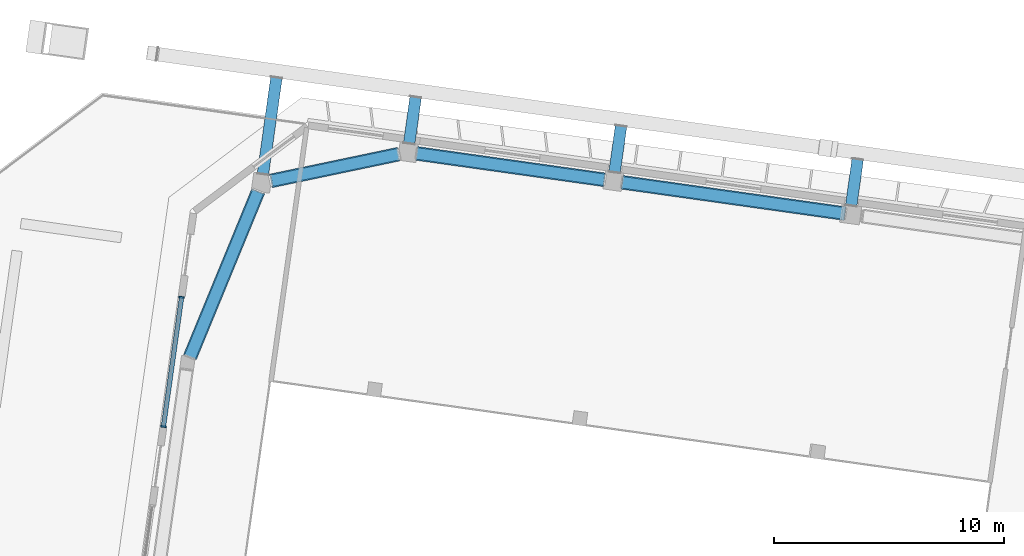
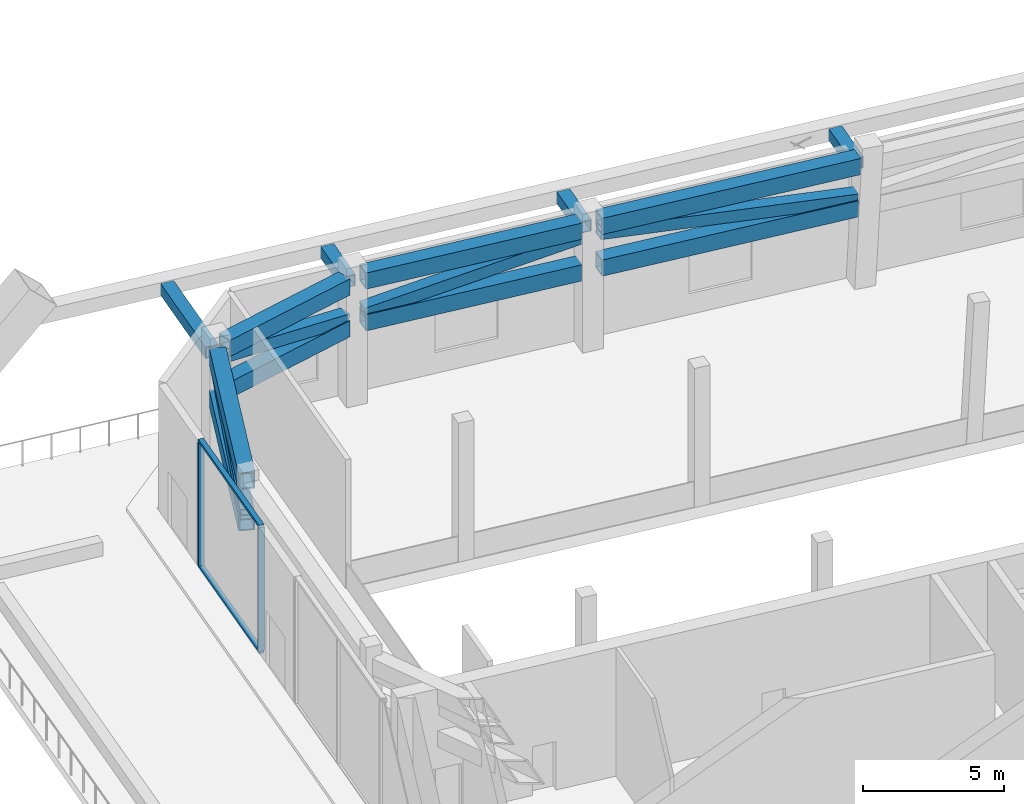
# One storey, part 6 of 29: 20 members, 1 element without a shape of its own.
"""IFC4 building model written with IfcOpenShell, lengths in metres."""

import ifcopenshell
import ifcopenshell.guid

model = None  # the IFC model being written
_history = None  # IfcOwnerHistory: only IFC2X3 demands one
_inside = {}  # id of a spatial element -> (the spatial element, [elements in it])
_under = {}  # id of a project, library or spatial element -> (it, [spatial elements below it])
_declared = {}  # id of a project -> (the project, [libraries it declares])
_typed = {}  # id of a type object -> (the type object, [elements of that type])
_made_of = {}  # id of a material, layer set ... -> (it, [elements and type objects made of it])


def new_model(schema):
    """Start an empty IFC model of exactly this schema.

    Asked for "IFC4X3", IfcOpenShell would pick the latest addendum, in which some entities
    have other attributes; the version numbers below select the first issue.
    IFC2X3 requires an IfcOwnerHistory on every rooted entity: one is made here for all.
    """
    global model, _history
    if schema == "IFC4X3":
        model = ifcopenshell.file(schema_version=(4, 3, 0, 0))
    else:
        model = ifcopenshell.file(schema=schema)
    _inside.clear()
    _under.clear()
    _declared.clear()
    _typed.clear()
    _made_of.clear()
    _history = None
    if model.schema == "IFC2X3":
        org = make("IfcOrganization", Name="unknown")
        user = make(
            "IfcPersonAndOrganization",
            ThePerson=make("IfcPerson", FamilyName="unknown"),
            TheOrganization=org,
        )
        app = make(
            "IfcApplication",
            ApplicationDeveloper=org,
            Version="unknown",
            ApplicationFullName="unknown",
            ApplicationIdentifier="unknown",
        )
        _history = make(
            "IfcOwnerHistory",
            OwningUser=user,
            OwningApplication=app,
            ChangeAction="ADDED",
            CreationDate=0,
        )
    return model


def make(cls, **values):
    """One entity of the class cls with the attributes given. An attribute that is None is left unset."""
    return model.create_entity(
        cls, **{name: value for name, value in values.items() if value is not None}
    )


def rooted(cls, **values):
    """An entity with a GlobalId (a new one), such as an element, a storey or a relation."""
    return make(cls, GlobalId=ifcopenshell.guid.new(), OwnerHistory=_history, **values)


def si_unit(unit_type, name, prefix=None):
    """IfcSIUnit, for example si_unit("LENGTHUNIT", "METRE", prefix="MILLI")."""
    return make("IfcSIUnit", UnitType=unit_type, Prefix=prefix, Name=name)


def assignment(units):
    """IfcUnitAssignment: the units of a project."""
    return None if units is None else make("IfcUnitAssignment", Units=units)


def point(xyz):
    """IfcCartesianPoint."""
    return None if xyz is None else make("IfcCartesianPoint", Coordinates=xyz)


def direction(xyz):
    """IfcDirection."""
    return None if xyz is None else make("IfcDirection", DirectionRatios=xyz)


def frame(location, z_axis=None, x_axis=None):
    """IfcAxis2Placement3D, a coordinate frame: its origin and axes. An axis left out is left unset."""
    return make(
        "IfcAxis2Placement3D",
        Location=point(location),
        Axis=direction(z_axis),
        RefDirection=direction(x_axis),
    )


def frame_2d(location, x_axis=None):
    """IfcAxis2Placement2D, a coordinate frame in the plane: its origin and x axis."""
    return make(
        "IfcAxis2Placement2D", Location=point(location), RefDirection=direction(x_axis)
    )


def origin():
    """The frame at (0, 0, 0) with its axes left unset."""
    return frame((0.0, 0.0, 0.0))


def origin_2d():
    """The frame at (0, 0) in the plane with its x axis left unset."""
    return frame_2d((0.0, 0.0))


def place(relative_to, where):
    """IfcLocalPlacement: puts the frame where relative to a parent placement (None: the world)."""
    return make(
        "IfcLocalPlacement", PlacementRelTo=relative_to, RelativePlacement=where
    )


def context(
    kind, dimensions, precision=None, world=None, true_north=None, identifier=None
):
    """IfcGeometricRepresentationContext, for example the 3D "Model" context."""
    return make(
        "IfcGeometricRepresentationContext",
        ContextIdentifier=identifier,
        ContextType=kind,
        CoordinateSpaceDimension=dimensions,
        Precision=precision,
        WorldCoordinateSystem=world,
        TrueNorth=true_north,
    )


def subcontext(parent, identifier, kind, view, scale=None):
    """IfcGeometricRepresentationSubContext, for example "Body" below "Model"."""
    return make(
        "IfcGeometricRepresentationSubContext",
        ContextIdentifier=identifier,
        ContextType=kind,
        ParentContext=parent,
        TargetScale=scale,
        TargetView=view,
    )


def project(units=None, contexts=None):
    """IfcProject with its units and contexts."""
    return rooted(
        "IfcProject",
        Name="project",
        RepresentationContexts=contexts,
        UnitsInContext=assignment(units),
    )


def spatial(cls, under=None, at=None, **own):
    """A site, building, storey or space (cls), placed at a placement, below another one or the project."""
    s = rooted(cls, ObjectPlacement=at, **own)
    if under is not None:
        _under.setdefault(under.id(), (under, []))[1].append(s)
    return s


def profile(cls, at=None, kind="AREA", **sizes):
    """A parametric profile (cls). Its sizes go by their IFC names, for example OverallWidth=200.0."""
    return make(cls, ProfileType=kind, Position=at, **sizes)


def rectangle(**sizes):
    """IfcRectangleProfileDef."""
    return profile("IfcRectangleProfileDef", **sizes)


def hollow_rectangle(**sizes):
    """IfcRectangleHollowProfileDef."""
    return profile("IfcRectangleHollowProfileDef", **sizes)


def extrude(swept, where, along, depth):
    """IfcExtrudedAreaSolid: the profile swept, set in the frame where, extruded along a direction by depth."""
    return make(
        "IfcExtrudedAreaSolid",
        SweptArea=swept,
        Position=where,
        ExtrudedDirection=direction(along),
        Depth=depth,
    )


def shape(context_of_items, identifier, shape_type, items):
    """IfcShapeRepresentation: the items that make up one representation, for example the "Body"."""
    return make(
        "IfcShapeRepresentation",
        ContextOfItems=context_of_items,
        RepresentationIdentifier=identifier,
        RepresentationType=shape_type,
        Items=items,
    )


def material(Name=None, Category=None):
    """IfcMaterial."""
    return make("IfcMaterial", Name=Name, Category=Category)


def material_profile(
    of_material, cross_section, Name=None, Category=None, Priority=None
):
    """IfcMaterialProfile: a cross section and its material."""
    return make(
        "IfcMaterialProfile",
        Name=Name,
        Material=of_material,
        Profile=cross_section,
        Priority=Priority,
        Category=Category,
    )


def profile_set(profiles, Name=None, composite=None):
    """IfcMaterialProfileSet."""
    return make(
        "IfcMaterialProfileSet",
        Name=Name,
        MaterialProfiles=profiles,
        CompositeProfile=composite,
    )


def made_of(thing, what):
    """Note that an element or type object is made of a material, layer set ...; save() writes the relation."""
    if what is not None:
        _made_of.setdefault(what.id(), (what, []))[1].append(thing)
    return thing


def type_object(cls, material=None, **own):
    """A type object (cls), such as IfcWallType, which elements share."""
    return made_of(rooted(cls, **own), material)


def element(
    cls,
    number,
    at=None,
    inside=None,
    cuts=None,
    type_object=None,
    material=None,
    context=None,
    identifier="Body",
    shape_type=None,
    held_by="IfcProductDefinitionShape",
    body=None,
    shapes=None,
    **own,
):
    """One element of the class cls, such as IfcWall. Its Tag is "e" and its number.

    at: its placement. inside: the storey or other place that contains it. cuts: it is an
    opening in that element (IfcRelVoidsElement). A single representation is given by context,
    identifier, shape_type and body (its items); several are given by shapes. held_by: the class
    of the entity that holds the representations. save() writes the other relations.
    """
    e = rooted(cls, Tag="e%d" % number, ObjectPlacement=at, **own)
    if body is not None:
        shapes = [shape(context, identifier, shape_type, body)]
    if shapes is not None:
        e.Representation = make(held_by, Representations=shapes)
    if inside is not None:
        _inside.setdefault(inside.id(), (inside, []))[1].append(e)
    if cuts is not None:
        rooted(
            "IfcRelVoidsElement", RelatingBuildingElement=cuts, RelatedOpeningElement=e
        )
    if type_object is not None:
        _typed.setdefault(type_object.id(), (type_object, []))[1].append(e)
    return made_of(e, material)


def aggregate(whole, parts):
    """IfcRelAggregates: a whole, such as a stair, and the parts it consists of."""
    return rooted("IfcRelAggregates", RelatingObject=whole, RelatedObjects=parts)


def save(model, path):
    """Write the relations noted so far, then the file.

    IfcRelAggregates (storeys below a building ...), IfcRelContainedInSpatialStructure (elements
    in a storey), IfcRelDefinesByType, IfcRelAssociatesMaterial and IfcRelDeclares: one each for
    every whole, place, type object, material and project.
    """
    for whole, parts in _under.values():
        aggregate(whole, parts)
    for where, things in _inside.values():
        rooted(
            "IfcRelContainedInSpatialStructure",
            RelatedElements=things,
            RelatingStructure=where,
        )
    for kind, things in _typed.values():
        rooted("IfcRelDefinesByType", RelatedObjects=things, RelatingType=kind)
    for what, things in _made_of.values():
        rooted("IfcRelAssociatesMaterial", RelatedObjects=things, RelatingMaterial=what)
    for by, libraries in _declared.values():
        rooted("IfcRelDeclares", RelatingContext=by, RelatedDefinitions=libraries)
    model.write(path)


model = new_model("IFC4")

# Units and contexts
model_context = context("Model", 3, precision=1e-05, world=origin(), true_north=direction((0.0, 1.0)))
body_context = subcontext(model_context, "Body", "Model", "MODEL_VIEW")
ifc_project = project(units=[si_unit("LENGTHUNIT", "METRE"), si_unit("AREAUNIT", "SQUARE_METRE"), si_unit("VOLUMEUNIT", "CUBIC_METRE"), si_unit("PLANEANGLEUNIT", "RADIAN"), si_unit("MASSUNIT", "GRAM", prefix="KILO")], contexts=[model_context])

# Site, building, storey
site_placement = place(None, origin())
site = spatial("IfcSite", under=ifc_project, at=site_placement, CompositionType="ELEMENT")
building_placement = place(site_placement, origin())
building = spatial("IfcBuilding", under=site, at=building_placement, Name="Mirante Cascada Hotel Towers", CompositionType="ELEMENT")
storey_placement = place(building_placement, frame((0.0, 0.0, 210.6)))
storey = spatial("IfcBuildingStorey", under=building, at=storey_placement, Name="L50", CompositionType="ELEMENT", Elevation=210.6)

# Members
ifc_material_1 = material(Name="Steel ASTM A572 Gr 50", Category="steel")
ifc_material_profile_1 = material_profile(ifc_material_1, hollow_rectangle(XDim=0.6, YDim=0.7, WallThickness=0.05, at=origin_2d()), Name="Box chord 700x600x50 ASTM A572 Gr 50")
ifc_profile_set_1 = profile_set([ifc_material_profile_1], Name="Steel ASTM A572 Gr 50")
member_type_1 = type_object("IfcMemberType", Name="Box chord 700x600x50 ASTM A572 Gr 50", PredefinedType="CHORD", material=ifc_profile_set_1)
member_1_placement = place(storey_placement, frame((-44.0445, 18.4537, 5.2), z_axis=(-0.9902685, 0.1391703, 0.0), x_axis=(-0.1391703, -0.9902685, 0.0)))
element("IfcMember", 1, at=member_1_placement, inside=storey, type_object=member_type_1, Name="belt T1 L50 7", PredefinedType="CHORD", context=body_context, shape_type="SweptSolid", body=[
    extrude(hollow_rectangle(XDim=0.6, YDim=0.7, WallThickness=0.05, at=origin_2d()), origin(), (0.0, 0.0, 1.0), 9.8656),
])
member_2_placement = place(storey_placement, frame((-44.1327, 18.4661, 3.4), z_axis=(-0.9902685, 0.1391699, 0.0), x_axis=(-0.1391699, -0.9902685, 0.0)))
element("IfcMember", 2, at=member_2_placement, inside=storey, type_object=member_type_1, Name="belt T1 L50 8", PredefinedType="CHORD", context=body_context, shape_type="SweptSolid", body=[
    extrude(hollow_rectangle(XDim=0.6, YDim=0.7, WallThickness=0.05, at=origin_2d()), origin(), (0.0, 0.0, 1.0), 9.7765),
])
for number, where, z_axis, x_axis, name in (
    (3, (-54.5667, 19.9325, 5.2), (-0.9902678, 0.1391749, 0.0), (-0.1391749, -0.9902678, 0.0), "belt T1 L50 10"),
    (4, (-54.5667, 19.9325, 3.4), (-0.9902678, 0.1391749, 0.0), (-0.1391749, -0.9902678, 0.0), "belt T1 L50 11"),
):
    element("IfcMember", number, at=place(storey_placement, frame(where, z_axis=z_axis, x_axis=x_axis)), inside=storey, type_object=member_type_1, Name=name, PredefinedType="CHORD", context=body_context, shape_type="SweptSolid", body=[
        extrude(hollow_rectangle(XDim=0.6, YDim=0.7, WallThickness=0.05, at=origin_2d()), origin(), (0.0, 0.0, 1.0), 8.24),
    ])
for number, where, z_axis, x_axis, name in (
    (5, (-63.4994, 21.049, 5.2), (-0.9787546, -0.2050351, 0.0), (0.2050351, -0.9787546, 0.0), "belt T1 L50 13"),
    (6, (-63.4994, 21.049, 3.4), (-0.9787546, -0.2050351, 0.0), (0.2050351, -0.9787546, 0.0), "belt T1 L50 14"),
):
    element("IfcMember", number, at=place(storey_placement, frame(where, z_axis=z_axis, x_axis=x_axis)), inside=storey, type_object=member_type_1, Name=name, PredefinedType="CHORD", context=body_context, shape_type="SweptSolid", body=[
        extrude(hollow_rectangle(XDim=0.6, YDim=0.7, WallThickness=0.05, at=origin_2d()), origin(), (0.0, 0.0, 1.0), 5.6741),
    ])
for number, where, z_axis, x_axis, name in (
    (7, (-69.5991, 19.4391, 5.2), (-0.3805074, -0.9247779, 0.0), (0.9247779, -0.3805074, 0.0), "belt T1 L50 16"),
    (8, (-69.5991, 19.4391, 3.4), (-0.3805074, -0.9247779, 0.0), (0.9247779, -0.3805074, 0.0), "belt T1 L50 17"),
):
    element("IfcMember", number, at=place(storey_placement, frame(where, z_axis=z_axis, x_axis=x_axis)), inside=storey, type_object=member_type_1, Name=name, PredefinedType="CHORD", context=body_context, shape_type="SweptSolid", body=[
        extrude(hollow_rectangle(XDim=0.6, YDim=0.7, WallThickness=0.05, at=origin_2d()), origin(), (0.0, 0.0, 1.0), 7.782),
    ])
ifc_material_2 = material(Name="Steel ASTM A572 Gr 50", Category="steel")
ifc_material_profile_2 = material_profile(ifc_material_2, hollow_rectangle(XDim=0.5, YDim=0.5, WallThickness=0.035, at=origin_2d()), Name="Box diagonal 500x500x35 ASTM A572 Gr 50")
ifc_profile_set_2 = profile_set([ifc_material_profile_2], Name="Steel ASTM A572 Gr 50")
member_type_2 = type_object("IfcMemberType", Name="Box diagonal 500x500x35 ASTM A572 Gr 50", PredefinedType="BRACE", material=ifc_profile_set_2)
member_3_placement = place(storey_placement, frame((-44.1327, 18.4661, 3.75), z_axis=(-0.9840593, 0.1382973, 0.1118087), x_axis=(-0.1391699, -0.9902685, 0.0)))
element("IfcMember", 9, at=member_3_placement, inside=storey, type_object=member_type_2, Name="belt T1 L50 9", PredefinedType="BRACE", context=body_context, shape_type="SweptSolid", body=[
    extrude(hollow_rectangle(XDim=0.5, YDim=0.5, WallThickness=0.035, at=origin_2d()), origin(), (0.0, 0.0, 1.0), 9.8382),
])
member_4_placement = place(storey_placement, frame((-54.5667, 19.9325, 4.85), z_axis=(-0.9815603, 0.1379511, -0.1323214), x_axis=(-0.1391749, -0.9902678, 0.0)))
element("IfcMember", 10, at=member_4_placement, inside=storey, type_object=member_type_2, Name="belt T1 L50 12", PredefinedType="BRACE", context=body_context, shape_type="SweptSolid", body=[
    extrude(hollow_rectangle(XDim=0.5, YDim=0.5, WallThickness=0.035, at=origin_2d()), origin(), (0.0, 0.0, 1.0), 8.3131),
])
member_5_placement = place(storey_placement, frame((-63.4994, 21.049, 3.75), z_axis=(-0.9608654, -0.2012876, 0.1903183), x_axis=(0.2050351, -0.9787546, 0.0)))
element("IfcMember", 11, at=member_5_placement, inside=storey, type_object=member_type_2, Name="belt T1 L50 15", PredefinedType="BRACE", context=body_context, shape_type="SweptSolid", body=[
    extrude(hollow_rectangle(XDim=0.5, YDim=0.5, WallThickness=0.035, at=origin_2d()), origin(), (0.0, 0.0, 1.0), 5.7798),
])
member_6_placement = place(storey_placement, frame((-69.5991, 19.4391, 4.85), z_axis=(-0.3767621, -0.9156753, -0.1399609), x_axis=(0.9247779, -0.3805074, 0.0)))
element("IfcMember", 12, at=member_6_placement, inside=storey, type_object=member_type_2, Name="belt T1 L50 18", PredefinedType="BRACE", context=body_context, shape_type="SweptSolid", body=[
    extrude(hollow_rectangle(XDim=0.5, YDim=0.5, WallThickness=0.035, at=origin_2d()), origin(), (0.0, 0.0, 1.0), 7.8593),
])
ifc_material_3 = material(Name="Steel ASTM A572 Gr 50", Category="steel")
ifc_material_profile_3 = material_profile(ifc_material_3, hollow_rectangle(XDim=0.5, YDim=0.5, WallThickness=0.035, at=origin_2d()), Name="Box tie 500x500x35 ASTM A572 Gr 50")
ifc_profile_set_3 = profile_set([ifc_material_profile_3], Name="Steel ASTM A572 Gr 50")
member_type_3 = type_object("IfcMemberType", Name="Box tie 500x500x35 ASTM A572 Gr 50", PredefinedType="STRUT", material=ifc_profile_set_3)
member_7_placement = place(storey_placement, frame((-43.8702, 18.8129, 4.85), z_axis=(0.1391632, 0.9902695, 0.0), x_axis=(-0.9902695, 0.1391632, 0.0)))
element("IfcMember", 13, at=member_7_placement, inside=storey, type_object=member_type_3, Name="tie T1 L50 3", PredefinedType="STRUT", context=body_context, shape_type="SweptSolid", body=[
    extrude(hollow_rectangle(XDim=0.5, YDim=0.5, WallThickness=0.035, at=origin_2d()), origin(), (0.0, 0.0, 1.0), 2.0401),
])
member_8_placement = place(storey_placement, frame((-54.1375, 20.2559, 4.85), z_axis=(0.13917, 0.9902685, 0.0), x_axis=(-0.9902685, 0.13917, 0.0)))
element("IfcMember", 14, at=member_8_placement, inside=storey, type_object=member_type_3, Name="tie T1 L50 5", PredefinedType="STRUT", context=body_context, shape_type="SweptSolid", body=[
    extrude(hollow_rectangle(XDim=0.5, YDim=0.5, WallThickness=0.035, at=origin_2d()), origin(), (0.0, 0.0, 1.0), 2.04),
])
member_9_placement = place(storey_placement, frame((-63.0499, 21.5084, 4.85), z_axis=(0.1391632, 0.9902695, 0.0), x_axis=(-0.9902695, 0.1391632, 0.0)))
element("IfcMember", 15, at=member_9_placement, inside=storey, type_object=member_type_3, Name="tie T1 L50 7", PredefinedType="STRUT", context=body_context, shape_type="SweptSolid", body=[
    extrude(hollow_rectangle(XDim=0.5, YDim=0.5, WallThickness=0.035, at=origin_2d()), origin(), (0.0, 0.0, 1.0), 2.0401),
])
member_10_placement = place(storey_placement, frame((-69.3967, 20.1788, 4.85), z_axis=(0.1391757, 0.9902677, 0.0), x_axis=(-0.9902677, 0.1391757, 0.0)))
element("IfcMember", 16, at=member_10_placement, inside=storey, type_object=member_type_3, Name="tie T1 L50 9", PredefinedType="STRUT", context=body_context, shape_type="SweptSolid", body=[
    extrude(hollow_rectangle(XDim=0.5, YDim=0.5, WallThickness=0.035, at=origin_2d()), origin(), (0.0, 0.0, 1.0), 4.24),
])

# Curtain wall, members
ifc_material_4 = material(Name="Aluminium mullion and transom frame with clear laminated glass", Category="aluminium")
curtain_wall_type = type_object("IfcCurtainWallType", Name="Sky garden curtain wall ECW4", PredefinedType="NOTDEFINED", material=ifc_material_4)
curtain_wall_placement = place(storey_placement, origin())
curtain_wall = element("IfcCurtainWall", 17, at=curtain_wall_placement, inside=storey, type_object=curtain_wall_type, Name="Sky garden wall T1 L50 run 3", PredefinedType="NOTDEFINED")
ifc_material_5 = material(Name="Anodised aluminium extrusion", Category="aluminium")
ifc_material_profile_4 = material_profile(ifc_material_5, rectangle(XDim=0.24, YDim=0.075, at=origin_2d()), Name="ECW4 MULLION 75x240")
ifc_profile_set_4 = profile_set([ifc_material_profile_4], Name="Anodised aluminium extrusion")
member_type_4 = type_object("IfcMemberType", Name="ECW4 mullion 75x240", PredefinedType="MULLION", material=ifc_profile_set_4)
member_11_placement = place(storey_placement, frame((-73.7124, 9.2304, 0.11), z_axis=(0.0, 0.0, 1.0), x_axis=(-0.9902681, 0.1391731, 0.0)))
member_11 = element("IfcMember", 18, at=member_11_placement, type_object=member_type_4, Name="ECW4 mullion 1", PredefinedType="MULLION", context=body_context, shape_type="SweptSolid", body=[
    extrude(rectangle(XDim=0.24, YDim=0.075, at=origin_2d()), origin(), (0.0, 0.0, 1.0), 5.33),
])
member_12_placement = place(storey_placement, frame((-72.9243, 14.8381, 0.11), z_axis=(0.0, 0.0, 1.0), x_axis=(-0.9902681, 0.1391731, 0.0)))
member_12 = element("IfcMember", 19, at=member_12_placement, type_object=member_type_4, Name="ECW4 mullion 2", PredefinedType="MULLION", context=body_context, shape_type="SweptSolid", body=[
    extrude(rectangle(XDim=0.24, YDim=0.075, at=origin_2d()), origin(), (0.0, 0.0, 1.0), 5.33),
])
ifc_material_6 = material(Name="Anodised aluminium extrusion", Category="aluminium")
ifc_material_profile_5 = material_profile(ifc_material_6, rectangle(XDim=0.2, YDim=0.11, at=origin_2d()), Name="ECW4 TRANSOM 110x200")
ifc_profile_set_5 = profile_set([ifc_material_profile_5], Name="Anodised aluminium extrusion")
member_type_5 = type_object("IfcMemberType", Name="ECW4 transom 110x200", PredefinedType="USERDEFINED", material=ifc_profile_set_5)
member_13_placement = place(storey_placement, frame((-73.7177, 9.1933, 0.055), z_axis=(0.1391811, 0.9902669, 0.0), x_axis=(-0.9902669, 0.1391811, 0.0)))
member_13 = element("IfcMember", 20, at=member_13_placement, type_object=member_type_5, Name="ECW4 sill transom", ObjectType="TRANSOM", PredefinedType="USERDEFINED", context=body_context, shape_type="SweptSolid", body=[
    extrude(rectangle(XDim=0.2, YDim=0.11, at=origin_2d()), origin(), (0.0, 0.0, 1.0), 5.7378),
])
member_14_placement = place(storey_placement, frame((-73.7177, 9.1933, 5.495), z_axis=(0.1391811, 0.9902669, 0.0), x_axis=(-0.9902669, 0.1391811, 0.0)))
member_14 = element("IfcMember", 21, at=member_14_placement, type_object=member_type_5, Name="ECW4 head transom", ObjectType="TRANSOM", PredefinedType="USERDEFINED", context=body_context, shape_type="SweptSolid", body=[
    extrude(rectangle(XDim=0.2, YDim=0.11, at=origin_2d()), origin(), (0.0, 0.0, 1.0), 5.7378),
])
aggregate(curtain_wall, [member_13, member_14, member_11, member_12])

save(model, "model.ifc")
